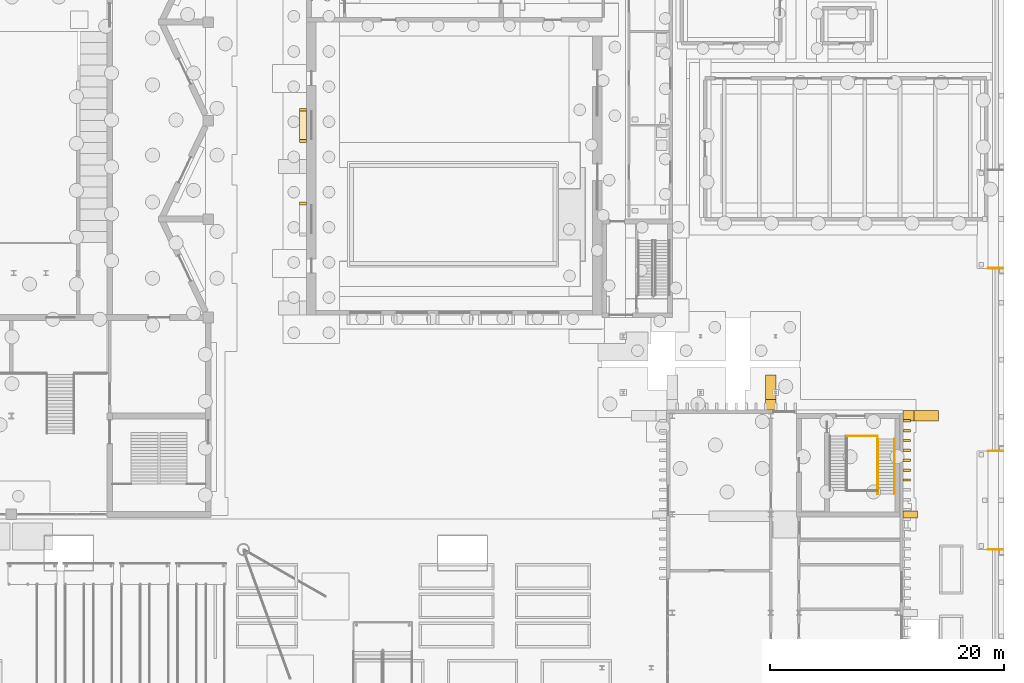
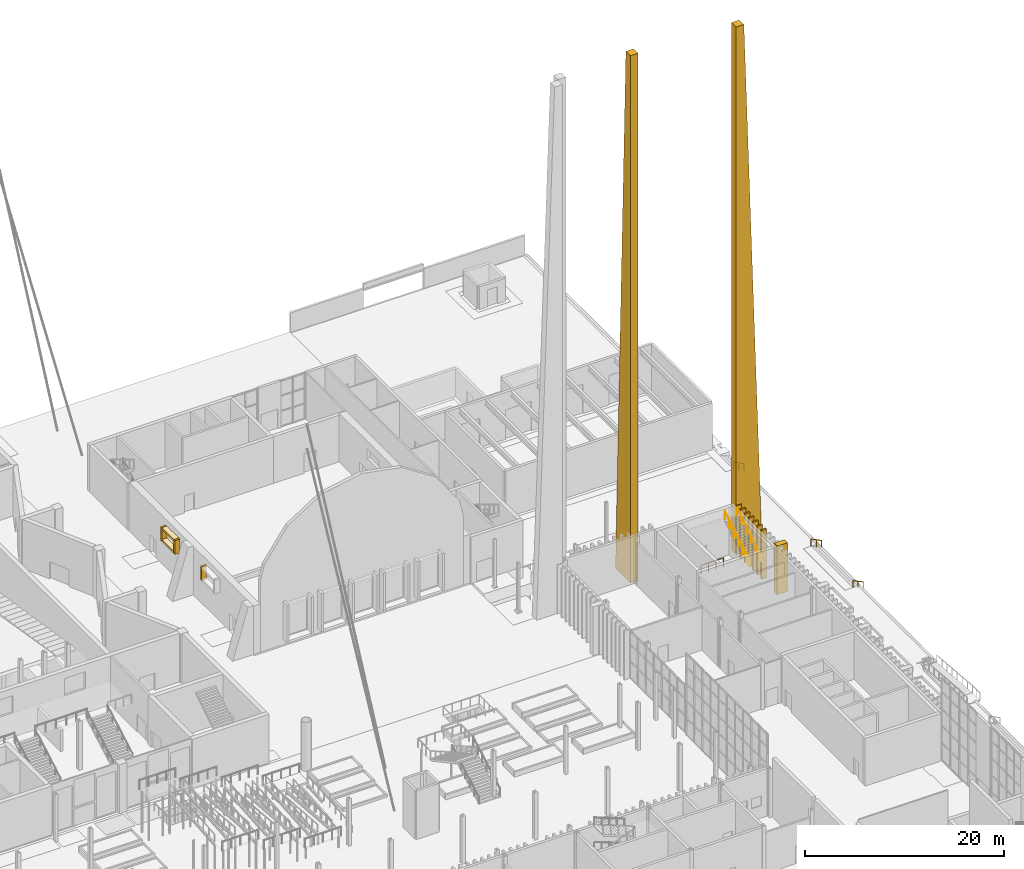
# One storey, part 103 of 108: 15 coverings, 7 railings.
"""IFC4 building model written with IfcOpenShell, lengths in metres."""

from ifc_helpers import new_model, si_unit, direction, frame, origin, origin_2d, place, context, subcontext, project, spatial, polyline, rectangle, circle, outline, extrude, material, type_object, element, save


model = new_model("IFC4")

# Units and contexts
model_context = context("Model", 3, precision=1e-05, world=origin(), true_north=direction((0.0, 1.0)))
body_context = subcontext(model_context, "Body", "Model", "MODEL_VIEW")
ifc_project = project(units=[si_unit("LENGTHUNIT", "METRE"), si_unit("AREAUNIT", "SQUARE_METRE"), si_unit("VOLUMEUNIT", "CUBIC_METRE"), si_unit("PLANEANGLEUNIT", "RADIAN"), si_unit("MASSUNIT", "GRAM", prefix="KILO")], contexts=[model_context])

# Site, building, storey
site_placement = place(None, origin())
site = spatial("IfcSite", under=ifc_project, at=site_placement, CompositionType="ELEMENT")
building_placement = place(site_placement, origin())
building = spatial("IfcBuilding", under=site, at=building_placement, Name="Cresset Court Congress Hotel", CompositionType="ELEMENT")
storey_placement = place(building_placement, origin())
storey = spatial("IfcBuildingStorey", under=building, at=storey_placement, Name="L00", CompositionType="ELEMENT", Elevation=0.0)

# Railings
ifc_material_1 = material(Name="Stainless steel", Category="steel")
railing_type_1 = type_object("IfcRailingType", Name="Handrail 900 steel", PredefinedType="HANDRAIL", material=ifc_material_1)
for number, where, name in (
    (1, (185.35009765625, 55.800048828125, -0.60009765625), "Handrail E02L"),
    (2, (185.35009765625, 64.199951171875, -0.60009765625), "Handrail E02R"),
    (3, (185.35009765625, 79.800048828125, -0.60009765625), "Handrail E03L"),
):
    element("IfcRailing", number, at=place(storey_placement, frame(where)), inside=storey, type_object=railing_type_1, Name=name, PredefinedType="HANDRAIL", context=body_context, shape_type="SweptSolid", body=[
        extrude(circle(Radius=0.02490234375, at=origin_2d()), frame((0.0, 0.0, 0.875), z_axis=(-0.894427191, 0.0, 0.4472135955), x_axis=(0.0, -1.0, 0.0)), (0.0, 0.0, 1.0), 1.341796875),
        extrude(circle(Radius=0.02001953125, at=origin_2d()), origin(), (0.0, 0.0, 1.0), 0.849853515625),
        extrude(circle(Radius=0.02001953125, at=origin_2d()), frame((-0.60009765625, 0.0, 0.300048828125)), (0.0, 0.0, 1.0), 0.849853515625),
        extrude(circle(Radius=0.02001953125, at=origin_2d()), frame((-1.2001953125, 0.0, 0.60009765625)), (0.0, 0.0, 1.0), 0.849853515625),
    ])

# Coverings
ifc_material_2 = material(Name="Precast concrete C50", Category="concrete")
covering_type_1 = type_object("IfcCoveringType", Name="Precast reveal frame member 250x600", PredefinedType="CLADDING", material=ifc_material_2)
for number, where, z_axis, x_axis, name in (
    (4, (125.699951171875, 85.324951171875, 3.5498046875), (0.0, 0.0, 1.0), (0.0, 1.0, 0.0), "Reveal frame win.L00.06b"),
    (5, (125.699951171875, 90.675048828125, 3.5498046875), (0.0, 0.0, 1.0), (0.0, 1.0, 0.0), "Reveal frame win.L00.08a"),
    (6, (125.699951171875, 93.324951171875, 3.5498046875), (0.0, 0.0, 1.0), (0.0, 1.0, 0.0), "Reveal frame win.L00.08b"),
):
    element("IfcCovering", number, at=place(storey_placement, frame(where, z_axis=z_axis, x_axis=x_axis)), inside=storey, type_object=covering_type_1, Name=name, PredefinedType="CLADDING", context=body_context, shape_type="SweptSolid", body=[
        extrude(rectangle(XDim=0.25, YDim=0.60009765625, at=origin_2d()), origin(), (0.0, 0.0, 1.0), 1.699951171875),
    ])
for number, where, z_axis, x_axis, name in (
    (7, (125.699951171875, 92.0, 5.0), (0.0, 0.0, 1.0), (0.0, 1.0, 0.0), "Reveal frame win.L00.08c"),
    (8, (125.699951171875, 92.0, 3.550048828125), (0.0, 0.0, 1.0), (0.0, 1.0, 0.0), "Reveal frame win.L00.08d"),
):
    element("IfcCovering", number, at=place(storey_placement, frame(where, z_axis=z_axis, x_axis=x_axis)), inside=storey, type_object=covering_type_1, Name=name, PredefinedType="CLADDING", context=body_context, shape_type="SweptSolid", body=[
        extrude(rectangle(XDim=2.39990234375, YDim=0.60009765625, at=origin_2d()), origin(), (0.0, 0.0, 1.0), 0.25),
    ])
ifc_material_3 = material(Name="Precast concrete C50", Category="concrete")
covering_type_2 = type_object("IfcCoveringType", Name="Precast stone fin 200x600", PredefinedType="CLADDING", material=ifc_material_3)
for number, where, z_axis, x_axis, name in (
    (9, (177.199951171875, 61.739990234375, 0.0), (0.0, 0.0, 1.0), (1.0, 0.0, 0.0), "Fin E074"),
    (10, (177.199951171875, 62.580078125, 0.0), (0.0, 0.0, 1.0), (1.0, 0.0, 0.0), "Fin E075"),
    (11, (177.199951171875, 63.419921875, 0.0), (0.0, 0.0, 1.0), (1.0, 0.0, 0.0), "Fin E076"),
    (12, (177.199951171875, 64.260009765625, 0.0), (0.0, 0.0, 1.0), (1.0, 0.0, 0.0), "Fin E077"),
    (13, (177.199951171875, 65.10009765625, 0.0), (0.0, 0.0, 1.0), (1.0, 0.0, 0.0), "Fin E078"),
    (14, (177.199951171875, 65.93994140625, 0.0), (0.0, 0.0, 1.0), (1.0, 0.0, 0.0), "Fin E079"),
    (15, (177.199951171875, 66.780029296875, 0.0), (0.0, 0.0, 1.0), (1.0, 0.0, 0.0), "Fin E080"),
):
    element("IfcCovering", number, at=place(storey_placement, frame(where, z_axis=z_axis, x_axis=x_axis)), inside=storey, type_object=covering_type_2, Name=name, PredefinedType="CLADDING", context=body_context, shape_type="SweptSolid", body=[
        extrude(rectangle(XDim=0.60009765625, YDim=0.199951171875, at=origin_2d()), origin(), (0.0, 0.0, 1.0), 6.0),
    ])
ifc_material_4 = material(Name="Precast concrete C50", Category="concrete")
covering_type_3 = type_object("IfcCoveringType", Name="Precast stone pier 600x1200", PredefinedType="CLADDING", material=ifc_material_4)
covering_1_placement = place(storey_placement, frame((177.5, 58.800048828125, 0.0), z_axis=(0.0, 0.0, 1.0), x_axis=(1.0, 0.0, 0.0)))
element("IfcCovering", 16, at=covering_1_placement, inside=storey, type_object=covering_type_3, Name="Pier E07", PredefinedType="CLADDING", context=body_context, shape_type="SweptSolid", body=[
    extrude(rectangle(XDim=1.199951171875, YDim=0.60009765625, at=origin_2d()), origin(), (0.0, 0.0, 1.0), 6.0),
])
ifc_material_5 = material(Name="Precast concrete C50", Category="concrete")
covering_type_4 = type_object("IfcCoveringType", Name="Raked stone pier 900", PredefinedType="CLADDING", material=ifc_material_5)
covering_2_placement = place(storey_placement, frame((0.0, 67.199951171875, 0.0)))
element("IfcCovering", 17, at=covering_2_placement, inside=storey, type_object=covering_type_4, Name="Raked pier E08", PredefinedType="CLADDING", context=body_context, shape_type="SweptSolid", body=[
    extrude(outline(polyline([(176.89990234375, 0.0), (179.89990234375, 0.0), (177.800048828125, 64.800048828125), (176.89990234375, 64.800048828125), (176.89990234375, 0.0)])), frame((0.0, 0.449951171875, 0.0), z_axis=(0.0, -1.0, 0.0), x_axis=(1.0, 0.0, 0.0)), (0.0, 0.0, 1.0), 0.89990234375),
])
covering_3_placement = place(storey_placement, frame((166.050048828125, 67.699951171875, 0.0), z_axis=(1.0, 0.0, 0.0), x_axis=(0.0, 1.0, 0.0)))
element("IfcCovering", 18, at=covering_3_placement, inside=storey, type_object=covering_type_4, Name="Raked pier N02", PredefinedType="CLADDING", context=body_context, shape_type="SweptSolid", body=[
    extrude(outline(polyline([(0.0, 0.0), (3.0, 0.0), (0.900146484375, 64.800048828125), (0.0, 64.800048828125), (0.0, 0.0)])), origin(), (0.0, 0.0, -1.0), 0.89990234375),
])

# Railings
ifc_material_6 = material(Name="Stainless steel", Category="steel")
railing_type_2 = type_object("IfcRailingType", Name="Stair guard 1100", PredefinedType="GUARDRAIL", material=ifc_material_6)
railing_1_placement = place(storey_placement, frame((174.699951171875, 60.56005859375, 3.157958984375)))
element("IfcRailing", 19, at=railing_1_placement, inside=storey, type_object=railing_type_2, Name="Guard A2 L00", PredefinedType="GUARDRAIL", context=body_context, shape_type="SweptSolid", body=[
    extrude(circle(Radius=0.02392578125, at=origin_2d()), frame((0.0, 0.0, 1.076171875), z_axis=(0.0, 0.854734527071, 0.519065398802), x_axis=(-1.0, 0.0, 0.0)), (0.0, 0.0, 1.0), 5.475341796875),
    extrude(circle(Radius=0.02099609375, at=origin_2d()), origin(), (0.0, 0.0, 1.0), 1.052001953125),
    extrude(circle(Radius=0.02099609375, at=origin_2d()), frame((0.0, 0.93603515625, 0.568359375)), (0.0, 0.0, 1.0), 1.052001953125),
    extrude(circle(Radius=0.02099609375, at=origin_2d()), frame((0.0, 1.8720703125, 1.13671875)), (0.0, 0.0, 1.0), 1.052001953125),
    extrude(circle(Radius=0.02099609375, at=origin_2d()), frame((0.0, 2.807861328125, 1.705322265625)), (0.0, 0.0, 1.0), 1.052001953125),
    extrude(circle(Radius=0.02099609375, at=origin_2d()), frame((0.0, 3.743896484375, 2.273681640625)), (0.0, 0.0, 1.0), 1.052001953125),
    extrude(circle(Radius=0.02099609375, at=origin_2d()), frame((0.0, 4.679931640625, 2.842041015625)), (0.0, 0.0, 1.0), 1.052001953125),
])
railing_2_placement = place(storey_placement, frame((172.10009765625, 65.5, 0.0)))
element("IfcRailing", 20, at=railing_2_placement, inside=storey, type_object=railing_type_2, Name="Guard A2 L00", PredefinedType="GUARDRAIL", context=body_context, shape_type="SweptSolid", body=[
    extrude(circle(Radius=0.02392578125, at=origin_2d()), frame((0.0, 0.0, 1.076171875), z_axis=(1.0, 0.0, 0.0), x_axis=(0.0, 1.0, 0.0)), (0.0, 0.0, 1.0), 2.599853515625),
    extrude(circle(Radius=0.02099609375, at=origin_2d()), origin(), (0.0, 0.0, 1.0), 1.052001953125),
    extrude(circle(Radius=0.02099609375, at=origin_2d()), frame((0.86669921875, 0.0, 0.0)), (0.0, 0.0, 1.0), 1.052001953125),
    extrude(circle(Radius=0.02099609375, at=origin_2d()), frame((1.733154296875, 0.0, 0.0)), (0.0, 0.0, 1.0), 1.052001953125),
    extrude(circle(Radius=0.02099609375, at=origin_2d()), frame((2.599853515625, 0.0, 0.0)), (0.0, 0.0, 1.0), 1.052001953125),
])
ifc_material_7 = material(Name="Stainless steel", Category="steel")
railing_type_3 = type_object("IfcRailingType", Name="Stair handrail 900", PredefinedType="HANDRAIL", material=ifc_material_7)
for number, where, name in (
    (21, (174.760009765625, 60.56005859375, 3.157958984375), "Handrail A2 L00"),
    (22, (176.139892578125, 60.56005859375, 3.157958984375), "Handrail A2 L00"),
):
    element("IfcRailing", number, at=place(storey_placement, frame(where)), inside=storey, type_object=railing_type_3, Name=name, PredefinedType="HANDRAIL", context=body_context, shape_type="SweptSolid", body=[
        extrude(circle(Radius=0.02392578125, at=origin_2d()), frame((0.0, 0.0, 0.8759765625), z_axis=(0.0, 0.854734527071, 0.519065398802), x_axis=(-1.0, 0.0, 0.0)), (0.0, 0.0, 1.0), 5.475341796875),
        extrude(circle(Radius=0.02099609375, at=origin_2d()), origin(), (0.0, 0.0, 1.0), 0.851806640625),
        extrude(circle(Radius=0.02099609375, at=origin_2d()), frame((0.0, 0.93603515625, 0.568359375)), (0.0, 0.0, 1.0), 0.851806640625),
        extrude(circle(Radius=0.02099609375, at=origin_2d()), frame((0.0, 1.8720703125, 1.13671875)), (0.0, 0.0, 1.0), 0.851806640625),
        extrude(circle(Radius=0.02099609375, at=origin_2d()), frame((0.0, 2.807861328125, 1.705322265625)), (0.0, 0.0, 1.0), 0.851806640625),
        extrude(circle(Radius=0.02099609375, at=origin_2d()), frame((0.0, 3.743896484375, 2.273681640625)), (0.0, 0.0, 1.0), 0.851806640625),
        extrude(circle(Radius=0.02099609375, at=origin_2d()), frame((0.0, 4.679931640625, 2.842041015625)), (0.0, 0.0, 1.0), 0.851806640625),
    ])

save(model, "model.ifc")
